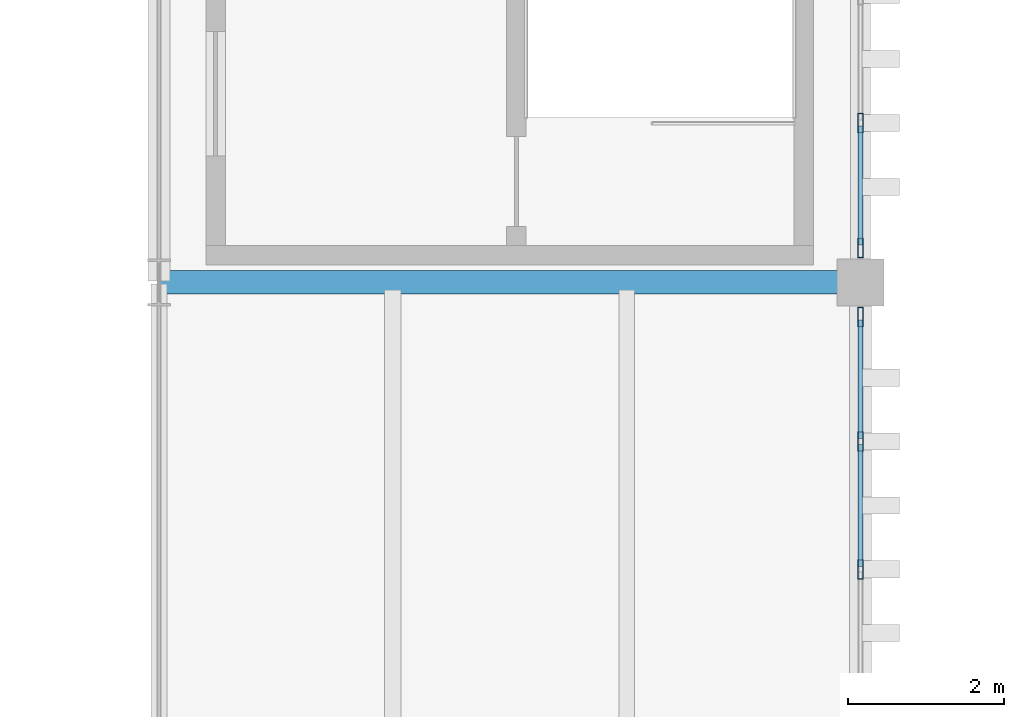
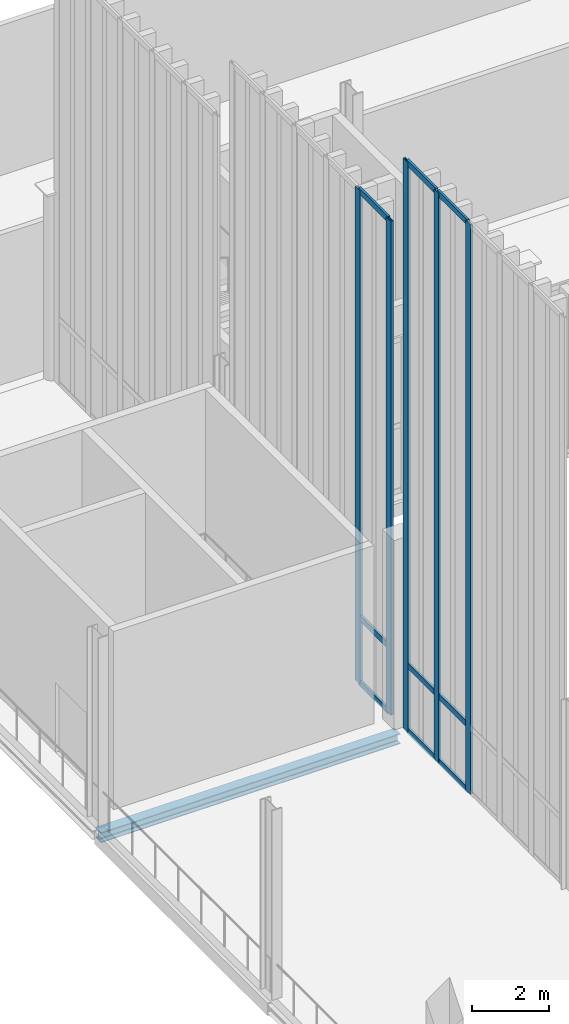
# One storey, part 67 of 237: 14 members, 1 beam, 2 elements without a shape of their own.
"""IFC4 building model written with IfcOpenShell, lengths in metres."""

from ifc_helpers import new_model, si_unit, direction, frame, origin, origin_2d, place, context, subcontext, project, spatial, hollow_rectangle, i_section, extrude, material, layer, layer_set, material_profile, profile_set, type_object, element, aggregate, save


model = new_model("IFC4")

# Units and contexts
model_context = context("Model", 3, precision=1e-05, world=origin(), true_north=direction((0.0, 1.0)))
body_context = subcontext(model_context, "Body", "Model", "MODEL_VIEW")
ifc_project = project(units=[si_unit("LENGTHUNIT", "METRE"), si_unit("AREAUNIT", "SQUARE_METRE"), si_unit("VOLUMEUNIT", "CUBIC_METRE"), si_unit("PLANEANGLEUNIT", "RADIAN"), si_unit("MASSUNIT", "GRAM", prefix="KILO")], contexts=[model_context])

# Site, building, storey
site_placement = place(None, origin())
site = spatial("IfcSite", under=ifc_project, at=site_placement, CompositionType="ELEMENT")
building_placement = place(site_placement, origin())
building = spatial("IfcBuilding", under=site, at=building_placement, Name="Barlavento Convention Centre", CompositionType="ELEMENT")
storey_placement = place(building_placement, frame((0.0, 0.0, 12.0)))
storey = spatial("IfcBuildingStorey", under=building, at=storey_placement, Name="L02", CompositionType="ELEMENT", Elevation=12.0)

# Curtain wall, members
ifc_material_1 = material(Name="Powder-coated aluminium and Low-E glass", Category="aluminium")
ifc_layer = layer(ifc_material_1, 0.18994140625)
ifc_layer_set = layer_set([ifc_layer], Name="ARC-CW-CONG-L02")
curtain_wall_type = type_object("IfcCurtainWallType", Name="ARC-CW-CONG-L02", PredefinedType="NOTDEFINED", material=ifc_layer_set)
curtain_wall_1_placement = place(storey_placement, origin())
curtain_wall_1 = element("IfcCurtainWall", 1, at=curtain_wall_1_placement, inside=storey, type_object=curtain_wall_type, Name="L02 unitised curtain wall CW02", PredefinedType="NOTDEFINED")
ifc_material_2 = material(Name="Powder-coated aluminium", Category="aluminium")
ifc_material_profile_1 = material_profile(ifc_material_2, hollow_rectangle(XDim=0.074951171875, YDim=0.25, WallThickness=0.006103515625, at=origin_2d()), Name="AL-MULL 75x250x6")
ifc_profile_set_1 = profile_set([ifc_material_profile_1], Name="Powder-coated aluminium")
member_type_1 = type_object("IfcMemberType", Name="ARC-CWM-75X250", PredefinedType="MULLION", material=ifc_profile_set_1)
member_1_placement = place(storey_placement, frame((63.0, 32.319091796875, 0.0), z_axis=(0.0, 0.0, 1.0), x_axis=(-1.0, 0.0, 0.0)))
member_1 = element("IfcMember", 2, at=member_1_placement, type_object=member_type_1, Name="CW02 mullion 4", PredefinedType="MULLION", context=body_context, shape_type="SweptSolid", body=[
    extrude(hollow_rectangle(XDim=0.074951171875, YDim=0.25, WallThickness=0.006103515625, at=origin_2d()), origin(), (0.0, 0.0, 1.0), 18.037109375),
])
member_2_placement = place(storey_placement, frame((63.0, 33.95703125, 0.0), z_axis=(0.0, 0.0, 1.0), x_axis=(-1.0, 0.0, 0.0)))
member_2 = element("IfcMember", 3, at=member_2_placement, type_object=member_type_1, Name="CW02 mullion 5", PredefinedType="MULLION", context=body_context, shape_type="SweptSolid", body=[
    extrude(hollow_rectangle(XDim=0.074951171875, YDim=0.25, WallThickness=0.006103515625, at=origin_2d()), origin(), (0.0, 0.0, 1.0), 18.037109375),
])
member_3_placement = place(storey_placement, frame((63.0, 35.5576171875, 0.0), z_axis=(0.0, 0.0, 1.0), x_axis=(-1.0, 0.0, 0.0)))
member_3 = element("IfcMember", 4, at=member_3_placement, type_object=member_type_1, Name="CW02 mullion 6", PredefinedType="MULLION", context=body_context, shape_type="SweptSolid", body=[
    extrude(hollow_rectangle(XDim=0.074951171875, YDim=0.25, WallThickness=0.006103515625, at=origin_2d()), origin(), (0.0, 0.0, 1.0), 18.037109375),
])

curtain_wall_2_placement = place(storey_placement, origin())
curtain_wall_2 = element("IfcCurtainWall", 5, at=curtain_wall_2_placement, inside=storey, type_object=curtain_wall_type, Name="L02 unitised curtain wall CW02", PredefinedType="NOTDEFINED")
member_4_placement = place(storey_placement, frame((63.0, 36.4423828125, 0.0), z_axis=(0.0, 0.0, 1.0), x_axis=(-1.0, 0.0, 0.0)))
member_4 = element("IfcMember", 6, at=member_4_placement, type_object=member_type_1, Name="CW02 mullion 1", PredefinedType="MULLION", context=body_context, shape_type="SweptSolid", body=[
    extrude(hollow_rectangle(XDim=0.074951171875, YDim=0.25, WallThickness=0.006103515625, at=origin_2d()), origin(), (0.0, 0.0, 1.0), 15.64111328125),
])
member_5_placement = place(storey_placement, frame((63.0, 38.0458984375, 0.0), z_axis=(0.0, 0.0, 1.0), x_axis=(-1.0, 0.0, 0.0)))
member_5 = element("IfcMember", 7, at=member_5_placement, type_object=member_type_1, Name="CW02 mullion 2", PredefinedType="MULLION", context=body_context, shape_type="SweptSolid", body=[
    extrude(hollow_rectangle(XDim=0.074951171875, YDim=0.25, WallThickness=0.006103515625, at=origin_2d()), origin(), (0.0, 0.0, 1.0), 15.64111328125),
])

# Member
ifc_material_profile_2 = material_profile(ifc_material_2, hollow_rectangle(XDim=0.070068359375, YDim=0.179931640625, WallThickness=0.0048828125, at=origin_2d()), Name="AL-TRAN 70x180x5")
ifc_profile_set_2 = profile_set([ifc_material_profile_2], Name="Powder-coated aluminium")
member_type_2 = type_object("IfcMemberType", Name="ARC-CWT-70X180", PredefinedType="USERDEFINED", material=ifc_profile_set_2)
member_6_placement = place(storey_placement, frame((63.0, 32.3564453125, 0.034912109375), z_axis=(0.0, 1.0, 0.0), x_axis=(-1.0, 0.0, 0.0)))
member_6 = element("IfcMember", 8, at=member_6_placement, type_object=member_type_2, Name="CW02 transom 4.1", ObjectType="TRANSOM", PredefinedType="USERDEFINED", context=body_context, shape_type="SweptSolid", body=[
    extrude(hollow_rectangle(XDim=0.070068359375, YDim=0.179931640625, WallThickness=0.0048828125, at=origin_2d()), origin(), (0.0, 0.0, 1.0), 1.56298828125),
])

member_7_placement = place(storey_placement, frame((63.0, 32.3564453125, 2.10009765625), z_axis=(0.0, 1.0, 0.0), x_axis=(-1.0, 0.0, 0.0)))
member_7 = element("IfcMember", 9, at=member_7_placement, type_object=member_type_2, Name="CW02 transom 4.2", ObjectType="TRANSOM", PredefinedType="USERDEFINED", context=body_context, shape_type="SweptSolid", body=[
    extrude(hollow_rectangle(XDim=0.070068359375, YDim=0.179931640625, WallThickness=0.0048828125, at=origin_2d()), origin(), (0.0, 0.0, 1.0), 1.56298828125),
])

member_8_placement = place(storey_placement, frame((63.0, 32.3564453125, 18.001953125), z_axis=(0.0, 1.0, 0.0), x_axis=(-1.0, 0.0, 0.0)))
member_8 = element("IfcMember", 10, at=member_8_placement, type_object=member_type_2, Name="CW02 transom 4.3", ObjectType="TRANSOM", PredefinedType="USERDEFINED", context=body_context, shape_type="SweptSolid", body=[
    extrude(hollow_rectangle(XDim=0.070068359375, YDim=0.179931640625, WallThickness=0.0048828125, at=origin_2d()), origin(), (0.0, 0.0, 1.0), 1.56298828125),
])

member_9_placement = place(storey_placement, frame((63.0, 33.994384765625, 0.034912109375), z_axis=(0.0, 1.0, 0.0), x_axis=(-1.0, 0.0, 0.0)))
member_9 = element("IfcMember", 11, at=member_9_placement, type_object=member_type_2, Name="CW02 transom 5.1", ObjectType="TRANSOM", PredefinedType="USERDEFINED", context=body_context, shape_type="SweptSolid", body=[
    extrude(hollow_rectangle(XDim=0.070068359375, YDim=0.179931640625, WallThickness=0.0048828125, at=origin_2d()), origin(), (0.0, 0.0, 1.0), 1.525634765625),
])

member_10_placement = place(storey_placement, frame((63.0, 33.994384765625, 2.10009765625), z_axis=(0.0, 1.0, 0.0), x_axis=(-1.0, 0.0, 0.0)))
member_10 = element("IfcMember", 12, at=member_10_placement, type_object=member_type_2, Name="CW02 transom 5.2", ObjectType="TRANSOM", PredefinedType="USERDEFINED", context=body_context, shape_type="SweptSolid", body=[
    extrude(hollow_rectangle(XDim=0.070068359375, YDim=0.179931640625, WallThickness=0.0048828125, at=origin_2d()), origin(), (0.0, 0.0, 1.0), 1.525634765625),
])

member_11_placement = place(storey_placement, frame((63.0, 33.994384765625, 18.001953125), z_axis=(0.0, 1.0, 0.0), x_axis=(-1.0, 0.0, 0.0)))
member_11 = element("IfcMember", 13, at=member_11_placement, type_object=member_type_2, Name="CW02 transom 5.3", ObjectType="TRANSOM", PredefinedType="USERDEFINED", context=body_context, shape_type="SweptSolid", body=[
    extrude(hollow_rectangle(XDim=0.070068359375, YDim=0.179931640625, WallThickness=0.0048828125, at=origin_2d()), origin(), (0.0, 0.0, 1.0), 1.525634765625),
])

aggregate(curtain_wall_1, [member_1, member_2, member_3, member_6, member_7, member_8, member_9, member_10, member_11])

member_12_placement = place(storey_placement, frame((63.0, 36.47998046875, 0.034912109375), z_axis=(0.0, 1.0, 0.0), x_axis=(-1.0, 0.0, 0.0)))
member_12 = element("IfcMember", 14, at=member_12_placement, type_object=member_type_2, Name="CW02 transom 1.1", ObjectType="TRANSOM", PredefinedType="USERDEFINED", context=body_context, shape_type="SweptSolid", body=[
    extrude(hollow_rectangle(XDim=0.070068359375, YDim=0.179931640625, WallThickness=0.0048828125, at=origin_2d()), origin(), (0.0, 0.0, 1.0), 1.5283203125),
])

member_13_placement = place(storey_placement, frame((63.0, 36.47998046875, 2.10009765625), z_axis=(0.0, 1.0, 0.0), x_axis=(-1.0, 0.0, 0.0)))
member_13 = element("IfcMember", 15, at=member_13_placement, type_object=member_type_2, Name="CW02 transom 1.2", ObjectType="TRANSOM", PredefinedType="USERDEFINED", context=body_context, shape_type="SweptSolid", body=[
    extrude(hollow_rectangle(XDim=0.070068359375, YDim=0.179931640625, WallThickness=0.0048828125, at=origin_2d()), origin(), (0.0, 0.0, 1.0), 1.5283203125),
])

member_14_placement = place(storey_placement, frame((63.0, 36.47998046875, 15.60595703125), z_axis=(0.0, 1.0, 0.0), x_axis=(-1.0, 0.0, 0.0)))
member_14 = element("IfcMember", 16, at=member_14_placement, type_object=member_type_2, Name="CW02 transom 1.3", ObjectType="TRANSOM", PredefinedType="USERDEFINED", context=body_context, shape_type="SweptSolid", body=[
    extrude(hollow_rectangle(XDim=0.070068359375, YDim=0.179931640625, WallThickness=0.0048828125, at=origin_2d()), origin(), (0.0, 0.0, 1.0), 1.5283203125),
])

aggregate(curtain_wall_2, [member_4, member_5, member_12, member_13, member_14])

# Beam
ifc_material_3 = material(Name="Steel S355", Category="steel")
ifc_material_profile_3 = material_profile(ifc_material_3, i_section(OverallWidth=0.300048828125, OverallDepth=0.320068359375, WebThickness=0.011474609375, FlangeThickness=0.0205078125, FilletRadius=0.027099609375, at=origin_2d()), Name="HEB 320")
ifc_profile_set_3 = profile_set([ifc_material_profile_3], Name="Steel S355")
beam_type = type_object("IfcBeamType", Name="STR-BM-PRI-HEB320", PredefinedType="BEAM", material=ifc_profile_set_3)
beam_placement = place(storey_placement, frame((54.02001953125, 36.0, -0.4599609375), z_axis=(1.0, 0.0, 0.0), x_axis=(0.0, 1.0, 0.0)))
element("IfcBeam", 17, at=beam_placement, inside=storey, type_object=beam_type, Name="L02 primary girder BG13", PredefinedType="BEAM", context=body_context, shape_type="SweptSolid", body=[
    extrude(i_section(OverallWidth=0.300048828125, OverallDepth=0.320068359375, WebThickness=0.011474609375, FlangeThickness=0.0205078125, FilletRadius=0.027099609375, at=origin_2d()), origin(), (0.0, 0.0, 1.0), 8.9599609375),
])

save(model, "model.ifc")
